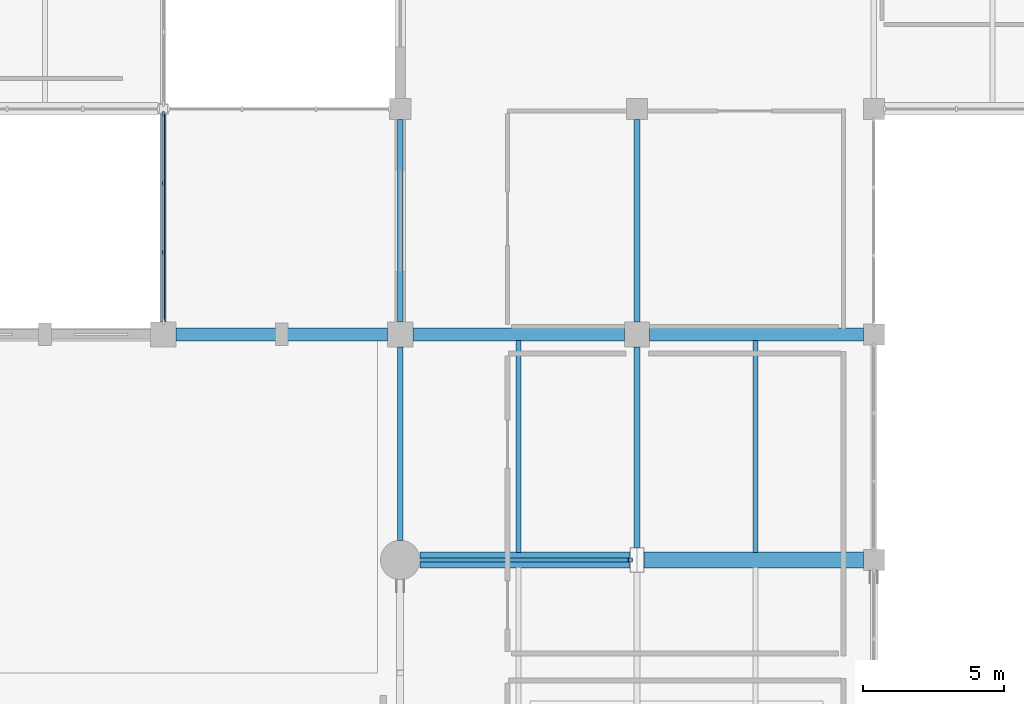
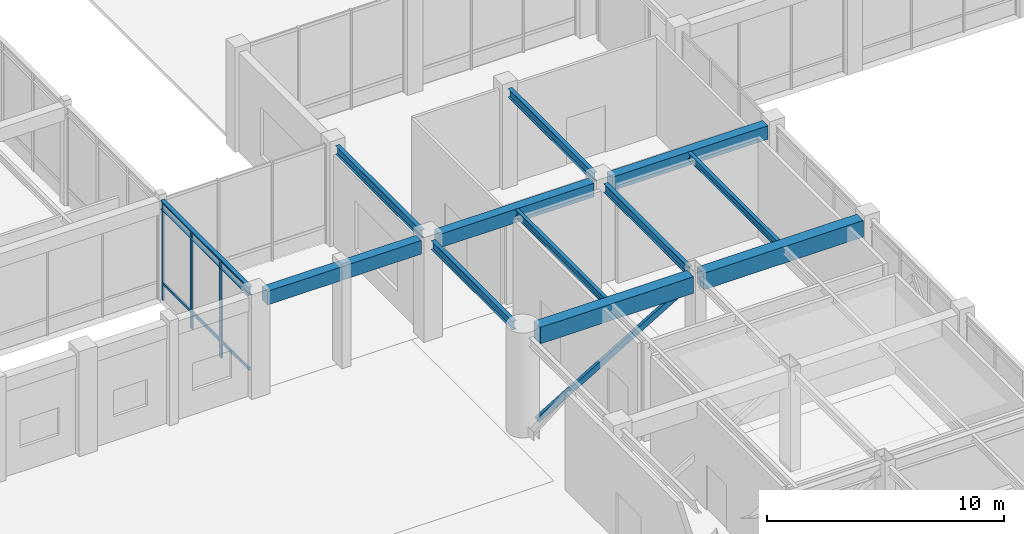
# One storey, part 23 of 79: 12 beams, 10 members, 1 element without a shape of its own.
"""IFC4 building model written with IfcOpenShell, lengths in metres."""

from ifc_helpers import new_model, si_unit, direction, frame, origin, origin_2d, place, context, subcontext, project, spatial, rectangle, hollow_rectangle, i_section, extrude, material, layer, layer_set, material_profile, profile_set, type_object, element, aggregate, save


model = new_model("IFC4")

# Units and contexts
model_context = context("Model", 3, precision=1e-05, world=origin(), true_north=direction((0.0, 1.0)))
body_context = subcontext(model_context, "Body", "Model", "MODEL_VIEW")
ifc_project = project(units=[si_unit("LENGTHUNIT", "METRE"), si_unit("AREAUNIT", "SQUARE_METRE"), si_unit("VOLUMEUNIT", "CUBIC_METRE"), si_unit("PLANEANGLEUNIT", "RADIAN"), si_unit("MASSUNIT", "GRAM", prefix="KILO")], contexts=[model_context])

# Site, building, storey
site_placement = place(None, origin())
site = spatial("IfcSite", under=ifc_project, at=site_placement, CompositionType="ELEMENT")
building_placement = place(site_placement, origin())
building = spatial("IfcBuilding", under=site, at=building_placement, Name="Naruveol Harbour Congress Hotel", CompositionType="ELEMENT")
storey_placement = place(building_placement, frame((0.0, 0.0, 6.0)))
storey = spatial("IfcBuildingStorey", under=building, at=storey_placement, Name="L01", CompositionType="ELEMENT", Elevation=6.0)

# Beams
ifc_material_1 = material(Name="Concrete C40/50", Category="concrete")
ifc_material_profile_1 = material_profile(ifc_material_1, rectangle(XDim=0.550048828125, YDim=0.85009765625, at=origin_2d()), Name="RCB-550x850")
ifc_profile_set_1 = profile_set([ifc_material_profile_1], Name="Concrete C40/50")
beam_type_1 = type_object("IfcBeamType", Name="RC PRIMARY GIRDER 550X850", PredefinedType="BEAM", material=ifc_profile_set_1)
beam_1_placement = place(storey_placement, frame((51.095947265625, 48.0, 4.695068359375), z_axis=(1.0, 0.0, 0.0), x_axis=(0.0, 1.0, 0.0)))
element("IfcBeam", 1, at=beam_1_placement, inside=storey, type_object=beam_type_1, Name="Floor girder L02 CB2", PredefinedType="BEAM", context=body_context, shape_type="SweptSolid", body=[
    extrude(rectangle(XDim=0.550048828125, YDim=0.85009765625, at=origin_2d()), origin(), (0.0, 0.0, 1.0), 7.4580078125),
])
beam_2_placement = place(storey_placement, frame((59.0458984375, 48.0, 4.695068359375), z_axis=(1.0, 0.0, 0.0), x_axis=(0.0, 1.0, 0.0)))
element("IfcBeam", 2, at=beam_2_placement, inside=storey, type_object=beam_type_1, Name="Floor girder L02 CB2", PredefinedType="BEAM", context=body_context, shape_type="SweptSolid", body=[
    extrude(rectangle(XDim=0.550048828125, YDim=0.85009765625, at=origin_2d()), origin(), (0.0, 0.0, 1.0), 7.783203125),
])
ifc_material_2 = material(Name="Concrete C40/50", Category="concrete")
ifc_material_profile_2 = material_profile(ifc_material_2, rectangle(XDim=0.449951171875, YDim=0.699951171875, at=origin_2d()), Name="RCB-450x700")
ifc_profile_set_2 = profile_set([ifc_material_profile_2], Name="Concrete C40/50")
beam_type_2 = type_object("IfcBeamType", Name="RC SPANDREL BEAM 450X700", PredefinedType="SPANDREL", material=ifc_profile_set_2)
for number, where, z_axis, x_axis, name in (
    (3, (42.446044921875, 56.0, 4.77001953125), (1.0, 0.0, 0.0), (0.0, 1.0, 0.0), "Floor girder L02 SPB1"),
    (4, (50.845947265625, 56.0, 4.77001953125), (1.0, 0.0, 0.0), (0.0, 1.0, 0.0), "Floor girder L02 SPB1"),
):
    element("IfcBeam", number, at=place(storey_placement, frame(where, z_axis=z_axis, x_axis=x_axis)), inside=storey, type_object=beam_type_2, Name=name, PredefinedType="SPANDREL", context=body_context, shape_type="SweptSolid", body=[
        extrude(rectangle(XDim=0.449951171875, YDim=0.699951171875, at=origin_2d()), origin(), (0.0, 0.0, 1.0), 7.508056640625),
    ])
beam_3_placement = place(storey_placement, frame((59.24609375, 56.0, 4.77001953125), z_axis=(1.0, 0.0, 0.0), x_axis=(0.0, 1.0, 0.0)))
element("IfcBeam", 5, at=beam_3_placement, inside=storey, type_object=beam_type_2, Name="Floor girder L02 SPB1", PredefinedType="SPANDREL", context=body_context, shape_type="SweptSolid", body=[
    extrude(rectangle(XDim=0.449951171875, YDim=0.699951171875, at=origin_2d()), origin(), (0.0, 0.0, 1.0), 7.5830078125),
])

# Member
ifc_material_3 = material(Name="Steel SN490", Category="steel")
ifc_material_profile_3 = material_profile(ifc_material_3, hollow_rectangle(XDim=0.14990234375, YDim=0.300048828125, WallThickness=0.010009765625, at=origin_2d()), Name="RHS-300x150x10")
ifc_profile_set_3 = profile_set([ifc_material_profile_3], Name="Steel SN490")
member_type_1 = type_object("IfcMemberType", Name="STEEL FACADE WIND STRUT RHS300", PredefinedType="STRUT", material=ifc_profile_set_3)
member_1_placement = place(storey_placement, frame((51.090087890625, 48.0, 0.199951171875), z_axis=(0.859113889511, 0.0, 0.511784451551), x_axis=(0.0, 1.0, 0.0)))
element("IfcMember", 6, at=member_1_placement, inside=storey, type_object=member_type_1, Name="Congress foyer wind strut Y=48.0", PredefinedType="STRUT", context=body_context, shape_type="SweptSolid", body=[
    extrude(hollow_rectangle(XDim=0.14990234375, YDim=0.300048828125, WallThickness=0.010009765625, at=origin_2d()), origin(), (0.0, 0.0, 1.0), 8.695068359375),
])

# Beams
ifc_material_4 = material(Name="Steel SN490", Category="steel")
ifc_material_profile_4 = material_profile(ifc_material_4, i_section(OverallWidth=0.175048828125, OverallDepth=0.35009765625, WebThickness=0.007080078125, FlangeThickness=0.010986328125, at=origin_2d()), Name="H-350x175x7x11")
ifc_profile_set_4 = profile_set([ifc_material_profile_4], Name="Steel SN490")
beam_type_3 = type_object("IfcBeamType", Name="STEEL SECONDARY JOIST H350", PredefinedType="JOIST", material=ifc_profile_set_4)
for number, where, z_axis, x_axis, name in (
    (7, (54.60009765625, 48.27099609375, 4.945068359375), (0.0, 1.0, 0.0), (-1.0, 0.0, 0.0), "Secondary floor joist L02 SJ2"),
    (8, (63.0, 48.27099609375, 4.945068359375), (0.0, 1.0, 0.0), (-1.0, 0.0, 0.0), "Secondary floor joist L02 SJ2"),
):
    element("IfcBeam", number, at=place(storey_placement, frame(where, z_axis=z_axis, x_axis=x_axis)), inside=storey, type_object=beam_type_3, Name=name, PredefinedType="JOIST", context=body_context, shape_type="SweptSolid", body=[
        extrude(i_section(OverallWidth=0.175048828125, OverallDepth=0.35009765625, WebThickness=0.007080078125, FlangeThickness=0.010986328125, at=origin_2d()), origin(), (0.0, 0.0, 1.0), 7.508056640625),
    ])
ifc_material_5 = material(Name="Steel SN490", Category="steel")
ifc_material_profile_5 = material_profile(ifc_material_5, i_section(OverallWidth=0.199951171875, OverallDepth=0.449951171875, WebThickness=0.009033203125, FlangeThickness=0.013916015625, at=origin_2d()), Name="H-450x200x9x14")
ifc_profile_set_5 = profile_set([ifc_material_profile_5], Name="Steel SN490")
beam_type_4 = type_object("IfcBeamType", Name="STEEL SPANDREL EDGE BEAM H450", PredefinedType="SPANDREL", material=ifc_profile_set_5)
beam_4_placement = place(storey_placement, frame((42.0, 56.446044921875, 4.89501953125), z_axis=(0.0, 1.0, 0.0), x_axis=(-1.0, 0.0, 0.0)))
element("IfcBeam", 9, at=beam_4_placement, inside=storey, type_object=beam_type_4, Name="Transverse girder L02 SPB2", PredefinedType="SPANDREL", context=body_context, shape_type="SweptSolid", body=[
    extrude(i_section(OverallWidth=0.199951171875, OverallDepth=0.449951171875, WebThickness=0.009033203125, FlangeThickness=0.013916015625, at=origin_2d()), origin(), (0.0, 0.0, 1.0), 7.383056640625),
])
beam_5_placement = place(storey_placement, frame((50.39990234375, 48.696044921875, 4.89501953125), z_axis=(0.0, 1.0, 0.0), x_axis=(-1.0, 0.0, 0.0)))
element("IfcBeam", 10, at=beam_5_placement, inside=storey, type_object=beam_type_4, Name="Transverse girder L02 SPB2", PredefinedType="SPANDREL", context=body_context, shape_type="SweptSolid", body=[
    extrude(i_section(OverallWidth=0.199951171875, OverallDepth=0.449951171875, WebThickness=0.009033203125, FlangeThickness=0.013916015625, at=origin_2d()), origin(), (0.0, 0.0, 1.0), 6.85791015625),
])
beam_6_placement = place(storey_placement, frame((50.39990234375, 56.446044921875, 4.89501953125), z_axis=(0.0, 1.0, 0.0), x_axis=(-1.0, 0.0, 0.0)))
element("IfcBeam", 11, at=beam_6_placement, inside=storey, type_object=beam_type_4, Name="Transverse girder L02 SPB2", PredefinedType="SPANDREL", context=body_context, shape_type="SweptSolid", body=[
    extrude(i_section(OverallWidth=0.199951171875, OverallDepth=0.449951171875, WebThickness=0.009033203125, FlangeThickness=0.013916015625, at=origin_2d()), origin(), (0.0, 0.0, 1.0), 7.182861328125),
])
beam_7_placement = place(storey_placement, frame((58.800048828125, 48.446044921875, 4.89501953125), z_axis=(0.0, 1.0, 0.0), x_axis=(-1.0, 0.0, 0.0)))
element("IfcBeam", 12, at=beam_7_placement, inside=storey, type_object=beam_type_4, Name="Transverse girder L02 SPB2", PredefinedType="SPANDREL", context=body_context, shape_type="SweptSolid", body=[
    extrude(i_section(OverallWidth=0.199951171875, OverallDepth=0.449951171875, WebThickness=0.009033203125, FlangeThickness=0.013916015625, at=origin_2d()), origin(), (0.0, 0.0, 1.0), 7.10791015625),
])
beam_8_placement = place(storey_placement, frame((58.800048828125, 56.446044921875, 4.89501953125), z_axis=(0.0, 1.0, 0.0), x_axis=(-1.0, 0.0, 0.0)))
element("IfcBeam", 13, at=beam_8_placement, inside=storey, type_object=beam_type_4, Name="Transverse girder L02 SPB2", PredefinedType="SPANDREL", context=body_context, shape_type="SweptSolid", body=[
    extrude(i_section(OverallWidth=0.199951171875, OverallDepth=0.449951171875, WebThickness=0.009033203125, FlangeThickness=0.013916015625, at=origin_2d()), origin(), (0.0, 0.0, 1.0), 7.182861328125),
])

# Curtain wall, members
ifc_material_6 = material(Name="Low-E Curtain Wall System", Category="glass")
ifc_layer = layer(ifc_material_6, 0.179931640625)
ifc_layer_set = layer_set([ifc_layer], Name="Low-E Curtain Wall System")
curtain_wall_type = type_object("IfcCurtainWallType", Name="UNITISED CURTAIN WALL CW-SPLW-11 7375X5100", PredefinedType="USERDEFINED", material=ifc_layer_set)
curtain_wall_placement = place(storey_placement, origin())
curtain_wall = element("IfcCurtainWall", 14, at=curtain_wall_placement, inside=storey, type_object=curtain_wall_type, Name="Unitised curtain wall CW-SPLW-11 L01", ObjectType="UNITISED GLAZING", PredefinedType="USERDEFINED")
ifc_material_7 = material(Name="Anodised Aluminium 6063-T6", Category="aluminium")
ifc_material_profile_6 = material_profile(ifc_material_7, rectangle(XDim=0.074951171875, YDim=0.179931640625, at=origin_2d()), Name="ALU-75x180")
ifc_profile_set_6 = profile_set([ifc_material_profile_6], Name="Anodised Aluminium 6063-T6")
member_type_2 = type_object("IfcMemberType", Name="THERMAL ALUMINIUM MULLION 75X180", PredefinedType="MULLION", material=ifc_profile_set_6)
member_2_placement = place(storey_placement, frame((42.0, 58.908203125, 0.0), z_axis=(0.0, 0.0, 1.0), x_axis=(1.0, 0.0, 0.0)))
member_2 = element("IfcMember", 15, at=member_2_placement, type_object=member_type_2, Name="Curtain wall mullion CW-L01-0012-M1", PredefinedType="MULLION", context=body_context, shape_type="SweptSolid", body=[
    extrude(rectangle(XDim=0.074951171875, YDim=0.179931640625, at=origin_2d()), origin(), (0.0, 0.0, 1.0), 5.10009765625),
])
member_3_placement = place(storey_placement, frame((42.0, 61.36669921875, 0.0), z_axis=(0.0, 0.0, 1.0), x_axis=(1.0, 0.0, 0.0)))
member_3 = element("IfcMember", 16, at=member_3_placement, type_object=member_type_2, Name="Curtain wall mullion CW-L01-0012-M2", PredefinedType="MULLION", context=body_context, shape_type="SweptSolid", body=[
    extrude(rectangle(XDim=0.074951171875, YDim=0.179931640625, at=origin_2d()), origin(), (0.0, 0.0, 1.0), 5.10009765625),
])
member_4_placement = place(storey_placement, frame((42.0, 63.824951171875, 0.0), z_axis=(0.0, 0.0, 1.0), x_axis=(1.0, 0.0, 0.0)))
member_4 = element("IfcMember", 17, at=member_4_placement, type_object=member_type_2, Name="Curtain wall mullion CW-L01-0012-M3", PredefinedType="MULLION", context=body_context, shape_type="SweptSolid", body=[
    extrude(rectangle(XDim=0.074951171875, YDim=0.179931640625, at=origin_2d()), origin(), (0.0, 0.0, 1.0), 5.10009765625),
])
ifc_material_8 = material(Name="Anodised Aluminium 6063-T6", Category="aluminium")
ifc_material_profile_7 = material_profile(ifc_material_8, rectangle(XDim=0.074951171875, YDim=0.14990234375, at=origin_2d()), Name="ALU-75x150")
ifc_profile_set_7 = profile_set([ifc_material_profile_7], Name="Anodised Aluminium 6063-T6")
member_type_3 = type_object("IfcMemberType", Name="THERMAL ALUMINIUM TRANSOM 75X150", PredefinedType="USERDEFINED", material=ifc_profile_set_7)
member_5_placement = place(storey_placement, frame((42.0, 56.489990234375, 0.85009765625), z_axis=(0.0, 1.0, 0.0), x_axis=(-1.0, 0.0, 0.0)))
member_5 = element("IfcMember", 18, at=member_5_placement, type_object=member_type_3, Name="Curtain wall transom CW-L01-0012-T0.1", ObjectType="TRANSOM", PredefinedType="USERDEFINED", context=body_context, shape_type="SweptSolid", body=[
    extrude(rectangle(XDim=0.074951171875, YDim=0.14990234375, at=origin_2d()), origin(), (0.0, 0.0, 1.0), 2.37841796875),
])
member_6_placement = place(storey_placement, frame((42.0, 56.489990234375, 5.02001953125), z_axis=(0.0, 1.0, 0.0), x_axis=(-1.0, 0.0, 0.0)))
member_6 = element("IfcMember", 19, at=member_6_placement, type_object=member_type_3, Name="Curtain wall transom CW-L01-0012-T0.2", ObjectType="TRANSOM", PredefinedType="USERDEFINED", context=body_context, shape_type="SweptSolid", body=[
    extrude(rectangle(XDim=0.074951171875, YDim=0.14990234375, at=origin_2d()), origin(), (0.0, 0.0, 1.0), 2.37841796875),
])
member_7_placement = place(storey_placement, frame((42.0, 58.9482421875, 0.85009765625), z_axis=(0.0, 1.0, 0.0), x_axis=(-1.0, 0.0, 0.0)))
member_7 = element("IfcMember", 20, at=member_7_placement, type_object=member_type_3, Name="Curtain wall transom CW-L01-0012-T1.1", ObjectType="TRANSOM", PredefinedType="USERDEFINED", context=body_context, shape_type="SweptSolid", body=[
    extrude(rectangle(XDim=0.074951171875, YDim=0.14990234375, at=origin_2d()), origin(), (0.0, 0.0, 1.0), 2.37841796875),
])
member_8_placement = place(storey_placement, frame((42.0, 58.9482421875, 5.02001953125), z_axis=(0.0, 1.0, 0.0), x_axis=(-1.0, 0.0, 0.0)))
member_8 = element("IfcMember", 21, at=member_8_placement, type_object=member_type_3, Name="Curtain wall transom CW-L01-0012-T1.2", ObjectType="TRANSOM", PredefinedType="USERDEFINED", context=body_context, shape_type="SweptSolid", body=[
    extrude(rectangle(XDim=0.074951171875, YDim=0.14990234375, at=origin_2d()), origin(), (0.0, 0.0, 1.0), 2.37841796875),
])
member_9_placement = place(storey_placement, frame((42.0, 61.40673828125, 0.85009765625), z_axis=(0.0, 1.0, 0.0), x_axis=(-1.0, 0.0, 0.0)))
member_9 = element("IfcMember", 22, at=member_9_placement, type_object=member_type_3, Name="Curtain wall transom CW-L01-0012-T2.1", ObjectType="TRANSOM", PredefinedType="USERDEFINED", context=body_context, shape_type="SweptSolid", body=[
    extrude(rectangle(XDim=0.074951171875, YDim=0.14990234375, at=origin_2d()), origin(), (0.0, 0.0, 1.0), 2.378173828125),
])
member_10_placement = place(storey_placement, frame((42.0, 61.40673828125, 5.02001953125), z_axis=(0.0, 1.0, 0.0), x_axis=(-1.0, 0.0, 0.0)))
member_10 = element("IfcMember", 23, at=member_10_placement, type_object=member_type_3, Name="Curtain wall transom CW-L01-0012-T2.2", ObjectType="TRANSOM", PredefinedType="USERDEFINED", context=body_context, shape_type="SweptSolid", body=[
    extrude(rectangle(XDim=0.074951171875, YDim=0.14990234375, at=origin_2d()), origin(), (0.0, 0.0, 1.0), 2.378173828125),
])
aggregate(curtain_wall, [member_2, member_3, member_4, member_5, member_6, member_7, member_8, member_9, member_10])

save(model, "model.ifc")
